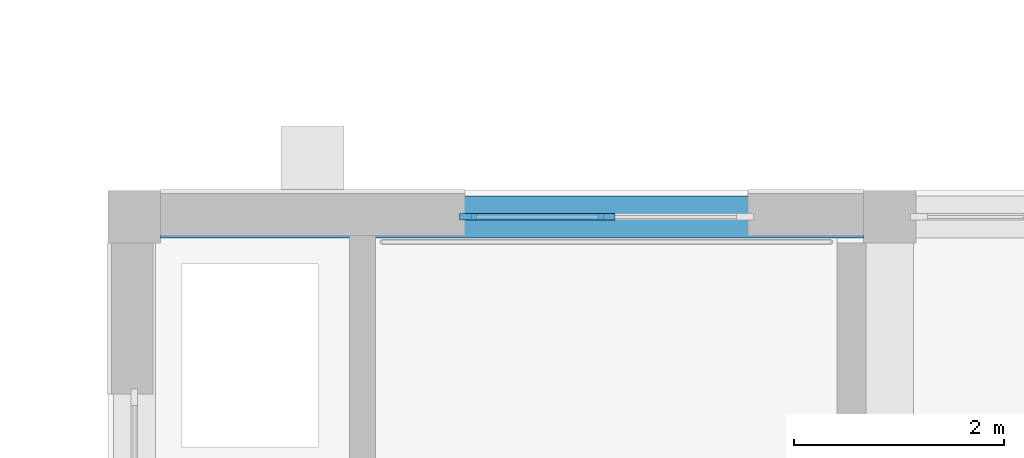
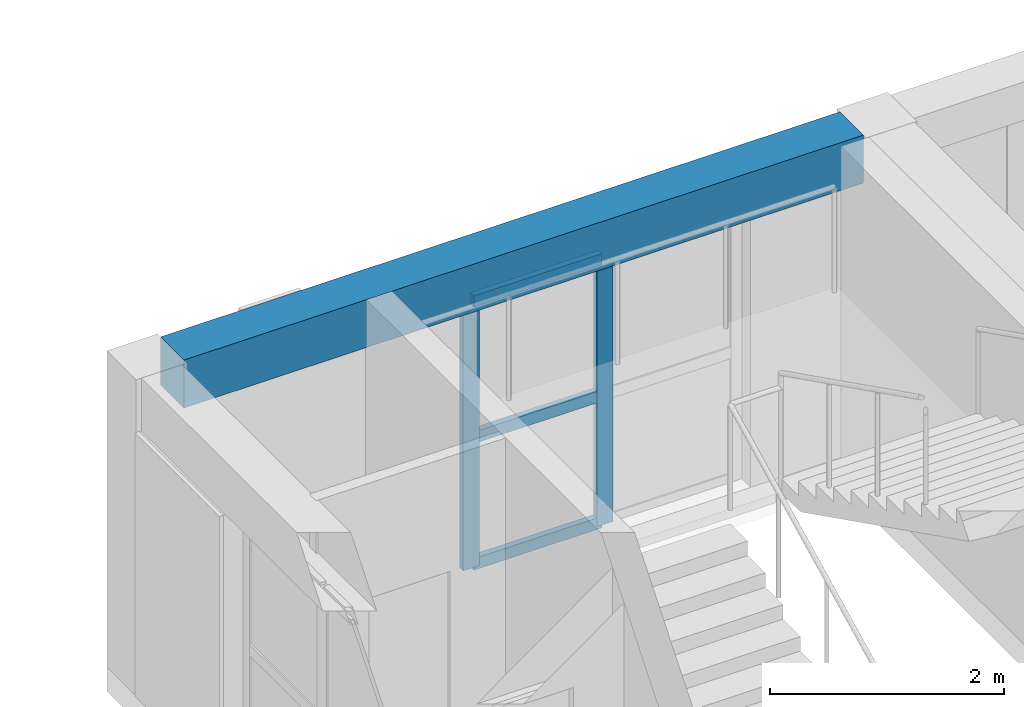
# One storey, part 22 of 70: 5 members, 1 beam, 1 element without a shape of its own.
"""IFC4 building model written with IfcOpenShell, lengths in metres."""

from ifc_helpers import new_model, si_unit, direction, frame, origin, origin_2d, place, context, subcontext, project, spatial, rectangle, extrude, material, layer, layer_set, material_profile, profile_set, type_object, element, aggregate, save


model = new_model("IFC4")

# Units and contexts
model_context = context("Model", 3, precision=1e-05, world=origin(), true_north=direction((0.0, 1.0)))
body_context = subcontext(model_context, "Body", "Model", "MODEL_VIEW")
ifc_project = project(units=[si_unit("LENGTHUNIT", "METRE"), si_unit("AREAUNIT", "SQUARE_METRE"), si_unit("VOLUMEUNIT", "CUBIC_METRE"), si_unit("PLANEANGLEUNIT", "RADIAN"), si_unit("MASSUNIT", "GRAM", prefix="KILO")], contexts=[model_context])

# Site, building, storey
site_placement = place(None, origin())
site = spatial("IfcSite", under=ifc_project, at=site_placement, CompositionType="ELEMENT")
building_placement = place(site_placement, origin())
building = spatial("IfcBuilding", under=site, at=building_placement, Name="Elbe Cascade School", CompositionType="ELEMENT")
storey_placement = place(building_placement, frame((0.0, 0.0, 8.10009765625)))
storey = spatial("IfcBuildingStorey", under=building, at=storey_placement, Name="L02", CompositionType="ELEMENT", Elevation=8.10009765625)

# Curtain wall, members
ifc_material_1 = material(Name="Aluminium frame with double glazing, bronze anodised", Category="aluminium")
ifc_layer = layer(ifc_material_1, 0.159912109375)
ifc_layer_set = layer_set([ifc_layer], Name="Aluminium frame with double glazing, bronze anodised")
curtain_wall_type = type_object("IfcCurtainWallType", Name="Bars envelope Curtain wall, aluminium, bronze anodised, storey-high slot", PredefinedType="NOTDEFINED", material=ifc_layer_set)
curtain_wall_placement = place(storey_placement, origin())
curtain_wall = element("IfcCurtainWall", 1, at=curtain_wall_placement, inside=storey, type_object=curtain_wall_type, Name="Curtain wall CW4 C.L02.n1", PredefinedType="NOTDEFINED")
ifc_material_2 = material(Name="Aluminium mullion, bronze anodised", Category="aluminium")
ifc_material_profile_1 = material_profile(ifc_material_2, rectangle(XDim=0.06005859375, YDim=0.159912109375, at=origin_2d()), Name="Bars envelope Curtain wall mullion 60 x 160, aluminium, storey-high slot")
ifc_profile_set_1 = profile_set([ifc_material_profile_1], Name="Aluminium mullion, bronze anodised")
member_type_1 = type_object("IfcMemberType", Name="Bars envelope Curtain wall mullion 60 x 160, aluminium, storey-high slot", PredefinedType="MULLION", material=ifc_profile_set_1)
member_1_placement = place(storey_placement, frame((131.3798828125, 60.0, 0.0), z_axis=(0.0, 0.0, 1.0), x_axis=(0.0, 1.0, 0.0)))
member_1 = element("IfcMember", 2, at=member_1_placement, type_object=member_type_1, Name="CW4 mullion 1", PredefinedType="MULLION", context=body_context, shape_type="SweptSolid", body=[
    extrude(rectangle(XDim=0.06005859375, YDim=0.159912109375, at=origin_2d()), origin(), (0.0, 0.0, 1.0), 2.7998046875),
])
member_2_placement = place(storey_placement, frame((132.699951171875, 60.0, 0.0), z_axis=(0.0, 0.0, 1.0), x_axis=(0.0, 1.0, 0.0)))
member_2 = element("IfcMember", 3, at=member_2_placement, type_object=member_type_1, Name="CW4 mullion 2", PredefinedType="MULLION", context=body_context, shape_type="SweptSolid", body=[
    extrude(rectangle(XDim=0.06005859375, YDim=0.159912109375, at=origin_2d()), origin(), (0.0, 0.0, 1.0), 2.7998046875),
])
ifc_material_3 = material(Name="Aluminium transom, bronze anodised", Category="aluminium")
ifc_material_profile_2 = material_profile(ifc_material_3, rectangle(XDim=0.06005859375, YDim=0.1201171875, at=origin_2d()), Name="Bars envelope Curtain wall transom 60 x 120, aluminium, storey-high slot")
ifc_profile_set_2 = profile_set([ifc_material_profile_2], Name="Aluminium transom, bronze anodised")
member_type_2 = type_object("IfcMemberType", Name="Bars envelope Curtain wall transom 60 x 120, aluminium, storey-high slot", PredefinedType="USERDEFINED", material=ifc_profile_set_2)
member_3_placement = place(storey_placement, frame((131.409912109375, 60.0, 0.02978515625), z_axis=(1.0, 0.0, 0.0), x_axis=(0.0, 1.0, 0.0)))
member_3 = element("IfcMember", 4, at=member_3_placement, type_object=member_type_2, Name="CW4 transom 1.1", ObjectType="TRANSOM", PredefinedType="USERDEFINED", context=body_context, shape_type="SweptSolid", body=[
    extrude(rectangle(XDim=0.06005859375, YDim=0.1201171875, at=origin_2d()), origin(), (0.0, 0.0, 1.0), 1.260009765625),
])
member_4_placement = place(storey_placement, frame((131.409912109375, 60.0, 1.349853515625), z_axis=(1.0, 0.0, 0.0), x_axis=(0.0, 1.0, 0.0)))
member_4 = element("IfcMember", 5, at=member_4_placement, type_object=member_type_2, Name="CW4 transom 1.2", ObjectType="TRANSOM", PredefinedType="USERDEFINED", context=body_context, shape_type="SweptSolid", body=[
    extrude(rectangle(XDim=0.06005859375, YDim=0.1201171875, at=origin_2d()), origin(), (0.0, 0.0, 1.0), 1.260009765625),
])
member_5_placement = place(storey_placement, frame((131.409912109375, 60.0, 2.77001953125), z_axis=(1.0, 0.0, 0.0), x_axis=(0.0, 1.0, 0.0)))
member_5 = element("IfcMember", 6, at=member_5_placement, type_object=member_type_2, Name="CW4 transom 1.3", ObjectType="TRANSOM", PredefinedType="USERDEFINED", context=body_context, shape_type="SweptSolid", body=[
    extrude(rectangle(XDim=0.06005859375, YDim=0.1201171875, at=origin_2d()), origin(), (0.0, 0.0, 1.0), 1.260009765625),
])
aggregate(curtain_wall, [member_1, member_2, member_3, member_4, member_5])

# Beam
ifc_material_4 = material(Name="Concrete C30/37", Category="concrete")
ifc_material_profile_3 = material_profile(ifc_material_4, rectangle(XDim=0.39990234375, YDim=0.5, at=origin_2d()), Name="RC 400x500")
ifc_profile_set_3 = profile_set([ifc_material_profile_3], Name="Concrete C30/37")
beam_type = type_object("IfcBeamType", Name="RC 400x500 beam", PredefinedType="BEAM", material=ifc_profile_set_3)
beam_placement = place(storey_placement, frame((128.449951171875, 60.0, 3.0498046875), z_axis=(1.0, 0.0, 0.0), x_axis=(0.0, 1.0, 0.0)))
element("IfcBeam", 7, at=beam_placement, inside=storey, type_object=beam_type, Name="RC 400x500 beam B1", PredefinedType="BEAM", context=body_context, shape_type="SweptSolid", body=[
    extrude(rectangle(XDim=0.39990234375, YDim=0.5, at=origin_2d()), origin(), (0.0, 0.0, 1.0), 6.699951171875),
])

save(model, "model.ifc")
